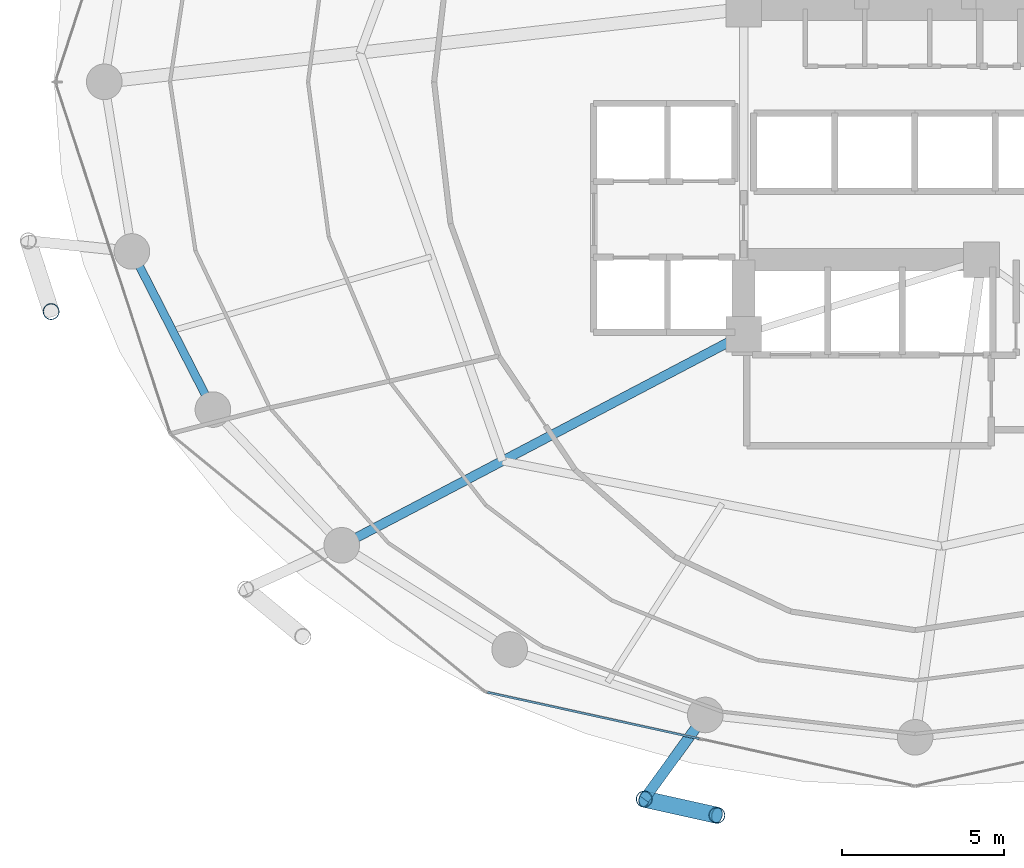
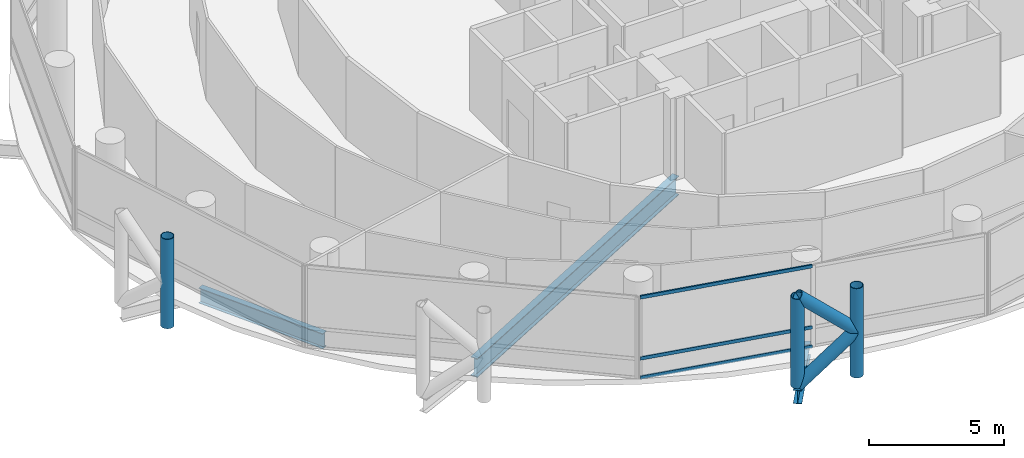
# One storey, part 3 of 27: 8 members, 3 beams, 1 element without a shape of its own.
"""IFC4 building model written with IfcOpenShell, lengths in metres."""

from ifc_helpers import new_model, si_unit, direction, frame, origin, origin_2d, place, context, subcontext, project, spatial, hollow_rectangle, hollow_circle, i_section, extrude, material, layer, layer_set, material_profile, profile_set, type_object, element, aggregate, save


model = new_model("IFC4")

# Units and contexts
model_context = context("Model", 3, precision=1e-05, world=origin(), true_north=direction((0.0, 1.0)))
body_context = subcontext(model_context, "Body", "Model", "MODEL_VIEW")
ifc_project = project(units=[si_unit("LENGTHUNIT", "METRE"), si_unit("AREAUNIT", "SQUARE_METRE"), si_unit("VOLUMEUNIT", "CUBIC_METRE"), si_unit("PLANEANGLEUNIT", "RADIAN"), si_unit("MASSUNIT", "GRAM", prefix="KILO")], contexts=[model_context])

# Site, building, storey
site_placement = place(None, origin())
site = spatial("IfcSite", under=ifc_project, at=site_placement, CompositionType="ELEMENT")
building_placement = place(site_placement, origin())
building = spatial("IfcBuilding", under=site, at=building_placement, Name="Nuhasar Tower", CompositionType="ELEMENT")
storey_placement = place(building_placement, frame((0.0, 0.0, 102.0)))
storey = spatial("IfcBuildingStorey", under=building, at=storey_placement, Name="L24", CompositionType="ELEMENT", Elevation=102.0)

# Beams
ifc_material_1 = material(Name="Steel S355", Category="steel")
ifc_material_profile_1 = material_profile(ifc_material_1, i_section(OverallWidth=0.2919921875, OverallDepth=0.85888671875, WebThickness=0.01708984375, FlangeThickness=0.031005859375, at=origin_2d()), Name="W33X169")
ifc_profile_set_1 = profile_set([ifc_material_profile_1], Name="Steel S355")
beam_type_1 = type_object("IfcBeamType", Name="BM-POD-W33X169", PredefinedType="BEAM", material=ifc_profile_set_1)
beam_1_placement = place(storey_placement, frame((33.699951171875, 19.0, -0.679931640625), z_axis=(-0.885330348705, -0.464962550816, 0.0), x_axis=(0.464962550816, -0.885330348705, 0.0)))
element("IfcBeam", 1, at=beam_1_placement, inside=storey, type_object=beam_type_1, Name="L24 Radial Floor Girder 01", PredefinedType="BEAM", context=body_context, shape_type="SweptSolid", body=[
    extrude(i_section(OverallWidth=0.2919921875, OverallDepth=0.85888671875, WebThickness=0.01708984375, FlangeThickness=0.031005859375, at=origin_2d()), origin(), (0.0, 0.0, 1.0), 14.0205078125),
])
ifc_material_profile_2 = material_profile(ifc_material_1, i_section(OverallWidth=0.256103515625, OverallDepth=0.693115234375, WebThickness=0.014404296875, FlangeThickness=0.023681640625, at=origin_2d()), Name="W27X114")
ifc_profile_set_2 = profile_set([ifc_material_profile_2], Name="Steel S355")
beam_type_2 = type_object("IfcBeamType", Name="BM-RING-W27X114", PredefinedType="SPANDREL", material=ifc_profile_set_2)
beam_2_placement = place(storey_placement, frame((14.803955078125, 21.55908203125, -0.596923828125), z_axis=(0.455930023905, -0.890015625314, 0.0), x_axis=(0.890015625314, 0.455930023905, 0.0)))
element("IfcBeam", 2, at=beam_2_placement, inside=storey, type_object=beam_type_2, Name="L24 Perimeter Ring Spandrel 14", PredefinedType="SPANDREL", context=body_context, shape_type="SweptSolid", body=[
    extrude(i_section(OverallWidth=0.256103515625, OverallDepth=0.693115234375, WebThickness=0.014404296875, FlangeThickness=0.023681640625, at=origin_2d()), origin(), (0.0, 0.0, 1.0), 5.487548828125),
])
ifc_material_profile_3 = material_profile(ifc_material_1, i_section(OverallWidth=0.323974609375, OverallDepth=0.611083984375, WebThickness=0.0126953125, FlangeThickness=0.01904296875, at=origin_2d()), Name="W24X104")
ifc_profile_set_3 = profile_set([ifc_material_profile_3], Name="Steel S355")
beam_type_3 = type_object("IfcBeamType", Name="BM-TIE-W24X104", PredefinedType="BEAM", material=ifc_profile_set_3)
beam_3_placement = place(storey_placement, frame((32.51708984375, 7.239990234375, -0.554931640625), z_axis=(-0.587403316448, -0.809294349311, 0.0), x_axis=(0.809294349311, -0.587403316448, 0.0)))
element("IfcBeam", 3, at=beam_3_placement, inside=storey, type_object=beam_type_3, Name="L24 Exoskeleton Node Tie Beam 09", PredefinedType="BEAM", context=body_context, shape_type="SweptSolid", body=[
    extrude(i_section(OverallWidth=0.323974609375, OverallDepth=0.611083984375, WebThickness=0.0126953125, FlangeThickness=0.01904296875, at=origin_2d()), origin(), (0.0, 0.0, 1.0), 3.212890625),
])

# Curtain wall, members
ifc_material_2 = material(Name="Aluminium 6063-T6", Category="aluminium")
ifc_layer = layer(ifc_material_2, 0.199951171875)
ifc_layer_set = layer_set([ifc_layer], Name="Aluminium 6063-T6")
curtain_wall_type = type_object("IfcCurtainWallType", Name="CW-Z1-OFF", PredefinedType="NOTDEFINED", material=ifc_layer_set)
curtain_wall_placement = place(storey_placement, origin())
curtain_wall = element("IfcCurtainWall", 4, at=curtain_wall_placement, inside=storey, type_object=curtain_wall_type, Name="L24 Unitised Curtain Wall 09", PredefinedType="NOTDEFINED")
ifc_material_profile_4 = material_profile(ifc_material_2, hollow_rectangle(XDim=0.06494140625, YDim=0.14990234375, WallThickness=0.00439453125, at=origin_2d()), Name="CWT-2")
ifc_profile_set_4 = profile_set([ifc_material_profile_4], Name="Aluminium 6063-T6")
member_type_1 = type_object("IfcMemberType", Name="CW-TRN-S2", PredefinedType="USERDEFINED", material=ifc_profile_set_4)
member_1_placement = place(storey_placement, frame((25.783447265625, 7.941162109375, 0.032470703125), z_axis=(0.976741923778, -0.214418316228, 0.0), x_axis=(0.214418316228, 0.976741923778, 0.0)))
member_1 = element("IfcMember", 5, at=member_1_placement, type_object=member_type_1, Name="CW-Z1 transom 1.1", ObjectType="TRANSOM", PredefinedType="USERDEFINED", context=body_context, shape_type="SweptSolid", body=[
    extrude(hollow_rectangle(XDim=0.06494140625, YDim=0.14990234375, WallThickness=0.00439453125, at=origin_2d()), origin(), (0.0, 0.0, 1.0), 6.70068359375),
])
member_2_placement = place(storey_placement, frame((25.783447265625, 7.941162109375, 0.89990234375), z_axis=(0.976741923778, -0.214418316228, 0.0), x_axis=(0.214418316228, 0.976741923778, 0.0)))
member_2 = element("IfcMember", 6, at=member_2_placement, type_object=member_type_1, Name="CW-Z1 transom 1.2", ObjectType="TRANSOM", PredefinedType="USERDEFINED", context=body_context, shape_type="SweptSolid", body=[
    extrude(hollow_rectangle(XDim=0.06494140625, YDim=0.14990234375, WallThickness=0.00439453125, at=origin_2d()), origin(), (0.0, 0.0, 1.0), 6.70068359375),
])
member_3_placement = place(storey_placement, frame((25.783447265625, 7.941162109375, 3.66748046875), z_axis=(0.976741923778, -0.214418316228, 0.0), x_axis=(0.214418316228, 0.976741923778, 0.0)))
member_3 = element("IfcMember", 7, at=member_3_placement, type_object=member_type_1, Name="CW-Z1 transom 1.3", ObjectType="TRANSOM", PredefinedType="USERDEFINED", context=body_context, shape_type="SweptSolid", body=[
    extrude(hollow_rectangle(XDim=0.06494140625, YDim=0.14990234375, WallThickness=0.00439453125, at=origin_2d()), origin(), (0.0, 0.0, 1.0), 6.70068359375),
])
aggregate(curtain_wall, [member_1, member_2, member_3])

# Members
ifc_material_3 = material(Name="Steel S460", Category="steel")
ifc_material_profile_5 = material_profile(ifc_material_3, hollow_circle(Radius=0.25390625, WallThickness=0.025390625, at=origin_2d()), Name="HSS508X25.4")
ifc_profile_set_5 = profile_set([ifc_material_profile_5], Name="Steel S460")
member_type_2 = type_object("IfcMemberType", Name="EXO-BRONZE-508", PredefinedType="BRACE", material=ifc_profile_set_5)
for number, where, z_axis, x_axis, name in (
    (8, (12.30810546875, 19.700927734375, 0.0), (0.0, 0.0, 1.0), (1.0, 0.0, 0.0), "L24 Exoskeleton Chord Column EC-07B"),
    (9, (30.6298828125, 4.639892578125, 0.0), (0.0, 0.0, 1.0), (1.0, 0.0, 0.0), "L24 Exoskeleton Chord Column EC-09A"),
    (10, (32.8759765625, 4.14111328125, 0.0), (0.0, 0.0, 1.0), (1.0, 0.0, 0.0), "L24 Exoskeleton Chord Column EC-09B"),
):
    element("IfcMember", number, at=place(storey_placement, frame(where, z_axis=z_axis, x_axis=x_axis)), inside=storey, type_object=member_type_2, Name=name, PredefinedType="BRACE", context=body_context, shape_type="SweptSolid", body=[
        extrude(hollow_circle(Radius=0.25390625, WallThickness=0.025390625, at=origin_2d()), origin(), (0.0, 0.0, 1.0), 4.050048828125),
    ])
member_4_placement = place(storey_placement, frame((30.6298828125, 4.639892578125, 0.0), z_axis=(0.732830973624, -0.162736269469, 0.66066305383), x_axis=(0.216784396973, 0.976219506683, 0.0)))
element("IfcMember", 11, at=member_4_placement, inside=storey, type_object=member_type_2, Name="L24 Bronze Diagrid Brace W1-09", PredefinedType="BRACE", context=body_context, shape_type="SweptSolid", body=[
    extrude(hollow_circle(Radius=0.25390625, WallThickness=0.025390625, at=origin_2d()), origin(), (0.0, 0.0, 1.0), 3.06494140625),
])
member_5_placement = place(storey_placement, frame((32.8759765625, 4.14111328125, 2.02490234375), z_axis=(-0.732792408767, 0.162727705556, 0.660707938122), x_axis=(-0.216784396973, -0.976219506683, 0.0)))
element("IfcMember", 12, at=member_5_placement, inside=storey, type_object=member_type_2, Name="L24 Bronze Diagrid Brace W2-09", PredefinedType="BRACE", context=body_context, shape_type="SweptSolid", body=[
    extrude(hollow_circle(Radius=0.25390625, WallThickness=0.025390625, at=origin_2d()), origin(), (0.0, 0.0, 1.0), 3.065185546875),
])

save(model, "model.ifc")
